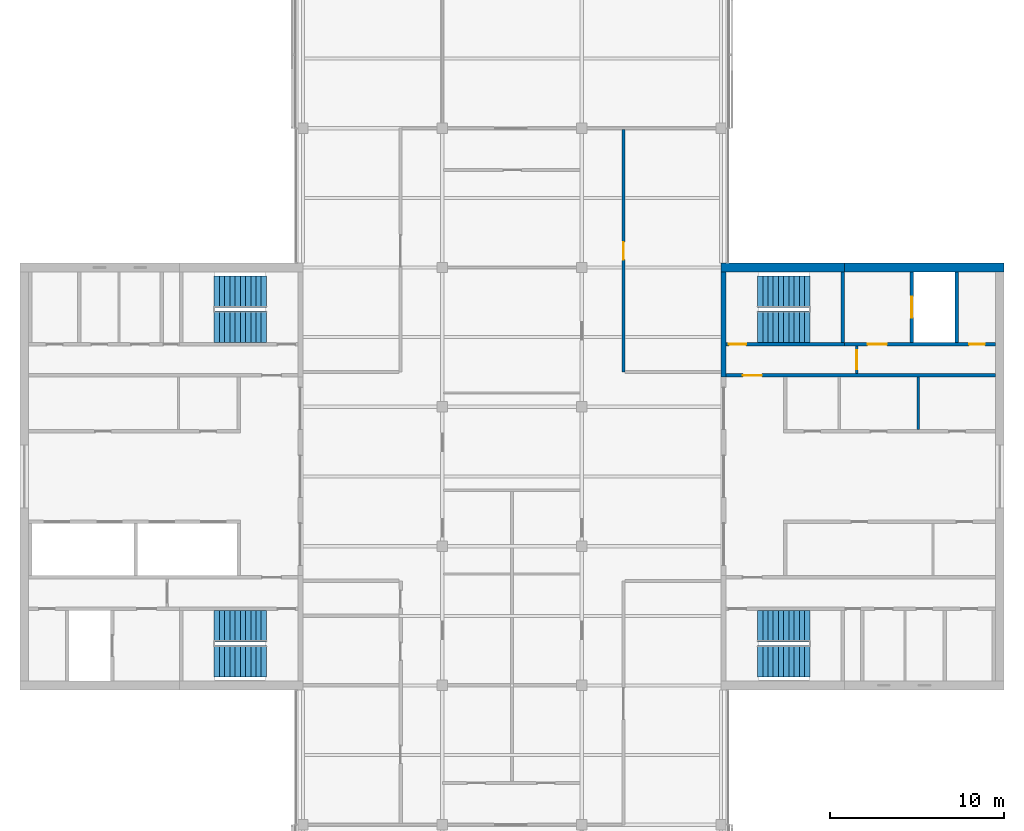
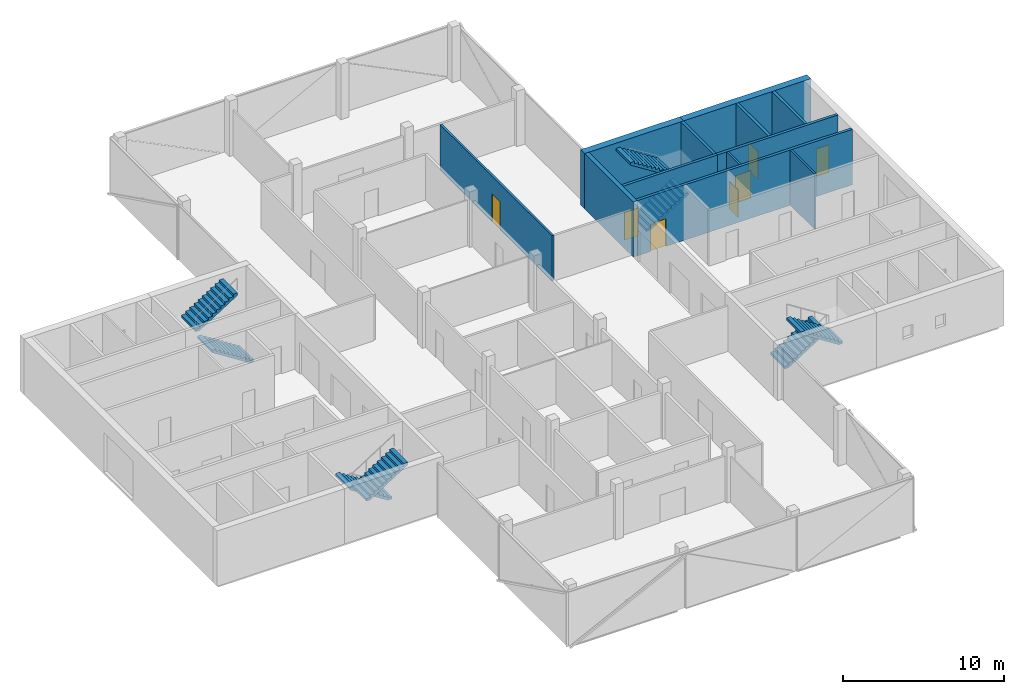
# One storey, part 12 of 15: 12 walls, 8 stair flights, 7 doors, 7 openings, 4 elements without a shape of their own.
"""IFC4 building model written with IfcOpenShell, lengths in metres."""

from ifc_helpers import new_model, si_unit, direction, frame, frame_2d, origin, place, context, subcontext, project, spatial, polyline, rectangle, outline, extrude, material, layer, layer_set, constituent, constituent_set, type_object, element, fill, aggregate, save


model = new_model("IFC4")

# Units and contexts
model_context = context("Model", 3, precision=1e-05, world=origin(), true_north=direction((0.0, 1.0)))
body_context = subcontext(model_context, "Body", "Model", "MODEL_VIEW")
ifc_project = project(units=[si_unit("LENGTHUNIT", "METRE"), si_unit("AREAUNIT", "SQUARE_METRE"), si_unit("VOLUMEUNIT", "CUBIC_METRE"), si_unit("PLANEANGLEUNIT", "RADIAN"), si_unit("MASSUNIT", "GRAM", prefix="KILO")], contexts=[model_context])

# Site, building, storey
site_placement = place(None, origin())
site = spatial("IfcSite", under=ifc_project, at=site_placement, CompositionType="ELEMENT")
building_placement = place(site_placement, origin())
building = spatial("IfcBuilding", under=site, at=building_placement, Name="Crosswind Convention Tower", CompositionType="ELEMENT")
storey_placement = place(building_placement, frame((0.0, 0.0, 319.699951171875)))
storey = spatial("IfcBuildingStorey", under=building, at=storey_placement, Name="L69", CompositionType="ELEMENT", Elevation=319.699951171875)

# Wall
ifc_material_1 = material(Name="Concrete C50/60", Category="concrete")
ifc_layer_1 = layer(ifc_material_1, 0.300048828125)
ifc_layer_set_1 = layer_set([ifc_layer_1], Name="Concrete C50/60")
wall_type_1 = type_object("IfcWallType", Name="Concrete inner core wall 300", PredefinedType="SHEAR", material=ifc_layer_set_1)
wall_1_placement = place(storey_placement, frame((137.14990234375, 105.699951171875, 0.0), z_axis=(0.0, 0.0, 1.0), x_axis=(0.0, 1.0, 0.0)))
element("IfcWall", 1, at=wall_1_placement, inside=storey, type_object=wall_type_1, Name="Wall EP E L69", PredefinedType="SHEAR", context=body_context, shape_type="SweptSolid", body=[
    extrude(rectangle(XDim=6.050048828125, YDim=0.300048828125, at=frame_2d((3.02490234375, 0.0))), origin(), (0.0, 0.0, 1.0), 4.199951171875),
])

# Wall, opening, door
ifc_layer_2 = layer(ifc_material_1, 0.199951171875)
ifc_layer_set_2 = layer_set([ifc_layer_2], Name="Concrete C50/60")
wall_type_2 = type_object("IfcWallType", Name="Concrete shaft and stair wall 200", PredefinedType="SHEAR", material=ifc_layer_set_2)
wall_2_placement = place(storey_placement, frame((137.300048828125, 105.800048828125, 0.0), z_axis=(0.0, 0.0, 1.0), x_axis=(1.0, 0.0, 0.0)))
wall_2 = element("IfcWall", 2, at=wall_2_placement, inside=storey, type_object=wall_type_2, Name="Wall HP E L69", PredefinedType="SHEAR", context=body_context, shape_type="SweptSolid", body=[
    extrude(rectangle(XDim=15.449951171875, YDim=0.199951171875, at=frame_2d((7.72509765625, 0.0))), origin(), (0.0, 0.0, 1.0), 4.199951171875),
])
opening_1_placement = place(wall_2_placement, frame((0.949951171875, 0.0, 0.0)))
opening_1 = element("IfcOpeningElement", 3, at=opening_1_placement, cuts=wall_2, Name="Opening D104", PredefinedType="OPENING", context=body_context, shape_type="SweptSolid", body=[
    extrude(rectangle(XDim=1.10009765625, YDim=2.10009765625, at=frame_2d((0.550048828125, 1.050048828125))), frame((0.0, 0.10986328125, 0.0), z_axis=(0.0, -1.0, 0.0), x_axis=(1.0, 0.0, 0.0)), (0.0, 0.0, 1.0), 0.219970703125),
])
ifc_material_2 = material(Name="Steel fire door", Category="steel")
door_type_1 = type_object("IfcDoorType", Name="Fire-rated single door 1100x2100", OperationType="NOTDEFINED", PredefinedType="DOOR", material=ifc_material_2)
door_1_placement = place(opening_1_placement, origin())
door_1 = element("IfcDoor", 4, at=door_1_placement, inside=storey, type_object=door_type_1, Name="Corridor door L69", ObjectType="D104", OperationType="SINGLE_SWING_LEFT", OverallHeight=2.10009765625, OverallWidth=1.10009765625, PredefinedType="DOOR", context=body_context, shape_type="SweptSolid", body=[
    extrude(rectangle(XDim=1.10009765625, YDim=2.10009765625, at=frame_2d((0.550048828125, 1.050048828125))), frame((0.0, 0.02490234375, 0.0), z_axis=(0.0, -1.0, 0.0), x_axis=(1.0, 0.0, 0.0)), (0.0, 0.0, 1.0), 0.050048828125),
])
fill(opening_1, door_1)

# Wall
wall_3_placement = place(storey_placement, frame((144.0, 107.699951171875, 0.0), z_axis=(0.0, 0.0, 1.0), x_axis=(0.0, 1.0, 0.0)))
element("IfcWall", 5, at=wall_3_placement, inside=storey, type_object=wall_type_2, Name="Wall PSE E L69", PredefinedType="SHEAR", context=body_context, shape_type="SweptSolid", body=[
    extrude(rectangle(XDim=4.050048828125, YDim=0.199951171875, at=frame_2d((2.02490234375, 0.0))), origin(), (0.0, 0.0, 1.0), 4.199951171875),
])

# Wall, opening, door
wall_4_placement = place(storey_placement, frame((147.949951171875, 107.699951171875, 0.0), z_axis=(0.0, 0.0, 1.0), x_axis=(0.0, 1.0, 0.0)))
wall_4 = element("IfcWall", 6, at=wall_4_placement, inside=storey, type_object=wall_type_2, Name="Wall PFLW E L69", PredefinedType="SHEAR", context=body_context, shape_type="SweptSolid", body=[
    extrude(rectangle(XDim=4.050048828125, YDim=0.199951171875, at=frame_2d((2.02490234375, 0.0))), origin(), (0.0, 0.0, 1.0), 4.199951171875),
])
opening_2_placement = place(wall_4_placement, frame((1.425048828125, 0.0, 0.0)))
opening_2 = element("IfcOpeningElement", 7, at=opening_2_placement, cuts=wall_4, Name="Opening LD1", PredefinedType="OPENING", context=body_context, shape_type="SweptSolid", body=[
    extrude(rectangle(XDim=1.199951171875, YDim=2.10009765625, at=frame_2d((0.60009765625, 1.050048828125))), frame((0.0, 0.10986328125, 0.0), z_axis=(0.0, -1.0, 0.0), x_axis=(1.0, 0.0, 0.0)), (0.0, 0.0, 1.0), 0.219970703125),
])
ifc_material_3 = material(Name="Stainless steel", Category="steel")
door_type_2 = type_object("IfcDoorType", Name="Lift landing door 1200x2100", OperationType="DOUBLE_DOOR_SLIDING", PredefinedType="DOOR", material=ifc_material_3)
door_2_placement = place(opening_2_placement, origin())
door_2 = element("IfcDoor", 8, at=door_2_placement, inside=storey, type_object=door_type_2, Name="Landing door FF1 L69", ObjectType="LD1", OperationType="DOUBLE_DOOR_SLIDING", OverallHeight=2.10009765625, OverallWidth=1.199951171875, PredefinedType="DOOR", context=body_context, shape_type="SweptSolid", body=[
    extrude(rectangle(XDim=1.199951171875, YDim=2.10009765625, at=frame_2d((0.60009765625, 1.050048828125))), frame((0.0, 0.02490234375, 0.0), z_axis=(0.0, -1.0, 0.0), x_axis=(1.0, 0.0, 0.0)), (0.0, 0.0, 1.0), 0.050048828125),
])
fill(opening_2, door_2)

# Wall
wall_5_placement = place(storey_placement, frame((150.550048828125, 107.699951171875, 0.0), z_axis=(0.0, 0.0, 1.0), x_axis=(0.0, 1.0, 0.0)))
element("IfcWall", 9, at=wall_5_placement, inside=storey, type_object=wall_type_2, Name="Wall PFSE E L69", PredefinedType="SHEAR", context=body_context, shape_type="SweptSolid", body=[
    extrude(rectangle(XDim=4.050048828125, YDim=0.199951171875, at=frame_2d((2.02490234375, 0.0))), origin(), (0.0, 0.0, 1.0), 4.199951171875),
])

# Wall, opening, door
wall_6_placement = place(storey_placement, frame((137.300048828125, 107.60009765625, 0.0), z_axis=(0.0, 0.0, 1.0), x_axis=(1.0, 0.0, 0.0)))
wall_6 = element("IfcWall", 10, at=wall_6_placement, inside=storey, type_object=wall_type_2, Name="Wall PCW E L69", PredefinedType="SHEAR", context=body_context, shape_type="SweptSolid", body=[
    extrude(rectangle(XDim=6.800048828125, YDim=0.199951171875, at=frame_2d((3.39990234375, 0.0))), origin(), (0.0, 0.0, 1.0), 4.199951171875),
])
opening_3_placement = place(wall_6_placement, frame((0.14990234375, 0.0, 0.0)))
opening_3 = element("IfcOpeningElement", 11, at=opening_3_placement, cuts=wall_6, Name="Opening D103", PredefinedType="OPENING", context=body_context, shape_type="SweptSolid", body=[
    extrude(rectangle(XDim=1.0, YDim=2.10009765625, at=frame_2d((0.5, 1.050048828125))), frame((0.0, 0.10986328125, 0.0), z_axis=(0.0, -1.0, 0.0), x_axis=(1.0, 0.0, 0.0)), (0.0, 0.0, 1.0), 0.219970703125),
])
door_type_3 = type_object("IfcDoorType", Name="Fire-rated single door 1000x2100", OperationType="NOTDEFINED", PredefinedType="DOOR", material=ifc_material_2)
door_3_placement = place(opening_3_placement, origin())
door_3 = element("IfcDoor", 12, at=door_3_placement, inside=storey, type_object=door_type_3, Name="Stair ST1 door L69", ObjectType="D103", OperationType="SINGLE_SWING_LEFT", OverallHeight=2.10009765625, OverallWidth=1.0, PredefinedType="DOOR", context=body_context, shape_type="SweptSolid", body=[
    extrude(rectangle(XDim=1.0, YDim=2.10009765625, at=frame_2d((0.5, 1.050048828125))), frame((0.0, 0.02490234375, 0.0), z_axis=(0.0, -1.0, 0.0), x_axis=(1.0, 0.0, 0.0)), (0.0, 0.0, 1.0), 0.050048828125),
])
fill(opening_3, door_3)

# Wall, openings, doors
wall_7_placement = place(storey_placement, frame((144.10009765625, 107.60009765625, 0.0), z_axis=(0.0, 0.0, 1.0), x_axis=(1.0, 0.0, 0.0)))
wall_7 = element("IfcWall", 13, at=wall_7_placement, inside=storey, type_object=wall_type_2, Name="Wall PCX E L69", PredefinedType="SHEAR", context=body_context, shape_type="SweptSolid", body=[
    extrude(rectangle(XDim=8.64990234375, YDim=0.199951171875, at=frame_2d((4.324951171875, 0.0))), origin(), (0.0, 0.0, 1.0), 4.199951171875),
])
opening_4_placement = place(wall_7_placement, frame((1.324951171875, 0.0, 0.0)))
opening_4 = element("IfcOpeningElement", 14, at=opening_4_placement, cuts=wall_7, Name="Opening D104", PredefinedType="OPENING", context=body_context, shape_type="SweptSolid", body=[
    extrude(rectangle(XDim=1.10009765625, YDim=2.10009765625, at=frame_2d((0.550048828125, 1.050048828125))), frame((0.0, 0.10986328125, 0.0), z_axis=(0.0, -1.0, 0.0), x_axis=(1.0, 0.0, 0.0)), (0.0, 0.0, 1.0), 0.219970703125),
])
opening_5_placement = place(wall_7_placement, frame((7.14990234375, 0.0, 0.0)))
opening_5 = element("IfcOpeningElement", 15, at=opening_5_placement, cuts=wall_7, Name="Opening D106", PredefinedType="OPENING", context=body_context, shape_type="SweptSolid", body=[
    extrude(rectangle(XDim=0.89990234375, YDim=2.10009765625, at=frame_2d((0.449951171875, 1.050048828125))), frame((0.0, 0.10986328125, 0.0), z_axis=(0.0, -1.0, 0.0), x_axis=(1.0, 0.0, 0.0)), (0.0, 0.0, 1.0), 0.219970703125),
])
door_4_placement = place(opening_4_placement, origin())
door_4 = element("IfcDoor", 16, at=door_4_placement, inside=storey, type_object=door_type_1, Name="Fire-fighting lobby FF1 door L69", ObjectType="D104", OperationType="SINGLE_SWING_RIGHT", OverallHeight=2.10009765625, OverallWidth=1.10009765625, PredefinedType="DOOR", context=body_context, shape_type="SweptSolid", body=[
    extrude(rectangle(XDim=1.10009765625, YDim=2.10009765625, at=frame_2d((0.550048828125, 1.050048828125))), frame((0.0, 0.02490234375, 0.0), z_axis=(0.0, -1.0, 0.0), x_axis=(1.0, 0.0, 0.0)), (0.0, 0.0, 1.0), 0.050048828125),
])
fill(opening_4, door_4)
ifc_material_4 = material(Name="Timber door", Category="wood")
door_type_4 = type_object("IfcDoorType", Name="Single leaf door 900x2100", OperationType="NOTDEFINED", PredefinedType="DOOR", material=ifc_material_4)
door_5_placement = place(opening_5_placement, origin())
door_5 = element("IfcDoor", 17, at=door_5_placement, inside=storey, type_object=door_type_4, Name="Door to electrical room L69", ObjectType="D106", OperationType="SINGLE_SWING_RIGHT", OverallHeight=2.10009765625, OverallWidth=0.89990234375, PredefinedType="DOOR", context=body_context, shape_type="SweptSolid", body=[
    extrude(rectangle(XDim=0.89990234375, YDim=2.10009765625, at=frame_2d((0.449951171875, 1.050048828125))), frame((0.0, 0.02490234375, 0.0), z_axis=(0.0, -1.0, 0.0), x_axis=(1.0, 0.0, 0.0)), (0.0, 0.0, 1.0), 0.050048828125),
])
fill(opening_5, door_5)

# Wall
ifc_material_5 = material(Name="Gypsum plasterboard partition", Category="gypsum")
ifc_layer_3 = layer(ifc_material_5, 0.125)
ifc_layer_set_3 = layer_set([ifc_layer_3], Name="Drywall partition wall 125")
wall_type_3 = type_object("IfcWallType", Name="Drywall partition wall 125", PredefinedType="PARTITIONING", material=ifc_layer_set_3)
wall_8_placement = place(storey_placement, frame((148.32861328125, 102.699951171875, 0.0), z_axis=(0.0, 0.0, 1.0), x_axis=(0.0, 1.0, 0.0)))
element("IfcWall", 18, at=wall_8_placement, inside=storey, type_object=wall_type_3, Name="Wall RPP2 E L69", PredefinedType="PARTITIONING", context=body_context, shape_type="SweptSolid", body=[
    extrude(rectangle(XDim=3.0, YDim=0.125, at=frame_2d((1.5, 0.0))), origin(), (0.0, 0.0, 1.0), 4.199951171875),
])

# Wall, opening, door
wall_9_placement = place(storey_placement, frame((144.800048828125, 105.89990234375, 0.0), z_axis=(0.0, 0.0, 1.0), x_axis=(0.0, 1.0, 0.0)))
wall_9 = element("IfcWall", 19, at=wall_9_placement, inside=storey, type_object=wall_type_3, Name="Wall PXC1 E L69", PredefinedType="PARTITIONING", context=body_context, shape_type="SweptSolid", body=[
    extrude(rectangle(XDim=1.60009765625, YDim=0.125, at=frame_2d((0.800048828125, 0.0))), origin(), (0.0, 0.0, 1.0), 4.199951171875),
])
opening_6_placement = place(wall_9_placement, frame((0.25, 0.0, 0.0)))
opening_6 = element("IfcOpeningElement", 20, at=opening_6_placement, cuts=wall_9, Name="Opening D104", PredefinedType="OPENING", context=body_context, shape_type="SweptSolid", body=[
    extrude(rectangle(XDim=1.10009765625, YDim=2.10009765625, at=frame_2d((0.550048828125, 1.050048828125))), frame((0.0, 0.072509765625, 0.0), z_axis=(0.0, -1.0, 0.0), x_axis=(1.0, 0.0, 0.0)), (0.0, 0.0, 1.0), 0.14501953125),
])
door_6_placement = place(opening_6_placement, origin())
door_6 = element("IfcDoor", 21, at=door_6_placement, inside=storey, type_object=door_type_1, Name="Corridor smoke door L69", ObjectType="D104", OperationType="SINGLE_SWING_RIGHT", OverallHeight=2.10009765625, OverallWidth=1.10009765625, PredefinedType="DOOR", context=body_context, shape_type="SweptSolid", body=[
    extrude(rectangle(XDim=1.10009765625, YDim=2.10009765625, at=frame_2d((0.550048828125, 1.050048828125))), frame((0.0, 0.02490234375, 0.0), z_axis=(0.0, -1.0, 0.0), x_axis=(1.0, 0.0, 0.0)), (0.0, 0.0, 1.0), 0.050048828125),
])
fill(opening_6, door_6)

ifc_material_6 = material(Name="Fire-board partition with mineral wool", Category="gypsum")
ifc_layer_4 = layer(ifc_material_6, 0.14990234375)
ifc_layer_set_4 = layer_set([ifc_layer_4], Name="TENANCY WALL 150 TWO-HOUR BOARD")
wall_type_4 = type_object("IfcWallType", Name="TENANCY WALL 150 TWO-HOUR BOARD", PredefinedType="PARTITIONING", material=ifc_layer_set_4)
wall_10_placement = place(storey_placement, frame((131.39990234375, 106.0, 0.0), z_axis=(0.0, 0.0, 1.0), x_axis=(0.0, 1.0, 0.0)))
wall_10 = element("IfcWall", 22, at=wall_10_placement, inside=storey, type_object=wall_type_4, Name="Tenancy wall WT41", PredefinedType="PARTITIONING", context=body_context, shape_type="SweptSolid", body=[
    extrude(rectangle(XDim=13.925048828125, YDim=0.14990234375, at=frame_2d((6.96240234375, 0.0))), origin(), (0.0, 0.0, 1.0), 3.44287109375),
])
opening_7_placement = place(wall_10_placement, frame((6.449951171875, 0.0, 0.0)))
opening_7 = element("IfcOpeningElement", 23, at=opening_7_placement, cuts=wall_10, Name="Opening L69-50", PredefinedType="OPENING", context=body_context, shape_type="SweptSolid", body=[
    extrude(rectangle(XDim=1.0, YDim=2.10009765625, at=frame_2d((0.5, 1.050048828125))), frame((0.0, 0.0849609375, 0.0), z_axis=(0.0, -1.0, 0.0), x_axis=(1.0, 0.0, 0.0)), (0.0, 0.0, 1.0), 0.169921875),
])
ifc_material_7 = material(Name="Timber fire door", Category="wood")
door_type_5 = type_object("IfcDoorType", Name="TENANCY ENTRANCE DOOR 1000X2100 FD30S", OperationType="NOTDEFINED", PredefinedType="DOOR", material=ifc_material_7)
door_7_placement = place(opening_7_placement, frame((1.0, 0.0, 0.0), z_axis=(0.0, 0.0, 1.0), x_axis=(-1.0, 0.0, 0.0)))
door_7 = element("IfcDoor", 24, at=door_7_placement, inside=storey, type_object=door_type_5, Name="Door L69-50", ObjectType="D41", OperationType="SINGLE_SWING_LEFT", OverallHeight=2.10009765625, OverallWidth=1.0, PredefinedType="DOOR", context=body_context, shape_type="SweptSolid", body=[
    extrude(rectangle(XDim=1.0, YDim=2.10009765625, at=frame_2d((0.5, 1.050048828125))), frame((0.0, 0.02490234375, 0.0), z_axis=(0.0, -1.0, 0.0), x_axis=(1.0, 0.0, 0.0)), (0.0, 0.0, 1.0), 0.050048828125),
])
fill(opening_7, door_7)

# Walls
ifc_material_8 = material(Name="Concrete C60/75", Category="concrete")
ifc_constituent_1 = constituent(ifc_material_8, Name="Structure")
ifc_material_9 = material(Name="Terracotta rainscreen", Category="ceramic")
ifc_constituent_2 = constituent(ifc_material_9, Name="Facing")
ifc_constituent_set = constituent_set(constituents=[ifc_constituent_1, ifc_constituent_2], Name="Concrete C60/75, Terracotta rainscreen")
wall_type_5 = type_object("IfcWallType", Name="Terracotta rainscreen on concrete core wall 500", PredefinedType="SHEAR", material=ifc_constituent_set)
wall_11_placement = place(storey_placement, frame((137.0, 112.0, 0.0), z_axis=(0.0, 0.0, 1.0), x_axis=(1.0, 0.0, 0.0)))
element("IfcWall", 25, at=wall_11_placement, inside=storey, type_object=wall_type_5, Name="Wall N1 E L69", PredefinedType="SHEAR", context=body_context, shape_type="SweptSolid", body=[
    extrude(rectangle(XDim=7.10009765625, YDim=0.5, at=frame_2d((3.550048828125, 0.0))), origin(), (0.0, 0.0, 1.0), 4.199951171875),
])
wall_12_placement = place(storey_placement, frame((144.10009765625, 112.0, 0.0), z_axis=(0.0, 0.0, 1.0), x_axis=(1.0, 0.0, 0.0)))
element("IfcWall", 26, at=wall_12_placement, inside=storey, type_object=wall_type_5, Name="Wall N2 E L69", PredefinedType="SHEAR", context=body_context, shape_type="SweptSolid", body=[
    extrude(rectangle(XDim=9.14990234375, YDim=0.5, at=frame_2d((4.574951171875, 0.0))), origin(), (0.0, 0.0, 1.0), 4.199951171875),
])

# Stair, stair flights
ifc_material_10 = material(Name="Concrete C40/50", Category="concrete")
stair_type = type_object("IfcStairType", Name="Exit stair 1800 wide, 2 flights of 11 risers", PredefinedType="HALF_TURN_STAIR", material=ifc_material_10)
stair_1_placement = place(storey_placement, origin())
stair_1 = element("IfcStair", 27, at=stair_1_placement, inside=storey, type_object=stair_type, Name="Exit stair ST1 L69", ObjectType="ST5", PredefinedType="HALF_TURN_STAIR")
stair_flight_type = type_object("IfcStairFlightType", Name="Stair flight 1800 wide, 11 risers (SF4)", PredefinedType="STRAIGHT", material=ifc_material_10)
stair_flight_1_placement = place(storey_placement, frame((139.10009765625, 108.60009765625, 0.0), z_axis=(0.0, 0.0, 1.0), x_axis=(1.0, 0.0, 0.0)))
stair_flight_1 = element("IfcStairFlight", 28, at=stair_flight_1_placement, type_object=stair_flight_type, Name="ST1 flight 1", NumberOfRisers=11, NumberOfTreads=10, PredefinedType="STRAIGHT", RiserHeight=0.190909091, TreadLength=0.3, context=body_context, shape_type="SweptSolid", body=[
    extrude(outline(polyline([(0.0, 0.0), (0.0, 0.19091796875), (0.300048828125, 0.19091796875), (0.300048828125, 0.3818359375), (0.60009765625, 0.3818359375), (0.60009765625, 0.57275390625), (0.89990234375, 0.57275390625), (0.89990234375, 0.763671875), (1.199951171875, 0.763671875), (1.199951171875, 0.95458984375), (1.5, 0.95458984375), (1.5, 1.1455078125), (1.800048828125, 1.1455078125), (1.800048828125, 1.33642578125), (2.10009765625, 1.33642578125), (2.10009765625, 1.52734375), (2.39990234375, 1.52734375), (2.39990234375, 1.71826171875), (2.699951171875, 1.71826171875), (2.699951171875, 1.9091796875), (3.0, 1.9091796875), (3.0, 2.10009765625), (3.0, 1.7314453125), (0.279296875, 0.0), (0.0, 0.0)])), frame((0.0, 0.89990234375, 0.0), z_axis=(0.0, -1.0, 0.0), x_axis=(1.0, 0.0, 0.0)), (0.0, 0.0, 1.0), 1.800048828125),
])
stair_flight_2_placement = place(storey_placement, frame((142.10009765625, 110.60009765625, 2.10009765625), z_axis=(0.0, 0.0, 1.0), x_axis=(-1.0, 0.0, 0.0)))
stair_flight_2 = element("IfcStairFlight", 29, at=stair_flight_2_placement, type_object=stair_flight_type, Name="ST1 flight 2", NumberOfRisers=11, NumberOfTreads=10, PredefinedType="STRAIGHT", RiserHeight=0.190909091, TreadLength=0.3, context=body_context, shape_type="SweptSolid", body=[
    extrude(outline(polyline([(0.0, 0.0), (0.0, 0.19091796875), (0.300048828125, 0.19091796875), (0.300048828125, 0.3818359375), (0.60009765625, 0.3818359375), (0.60009765625, 0.57275390625), (0.89990234375, 0.57275390625), (0.89990234375, 0.763671875), (1.199951171875, 0.763671875), (1.199951171875, 0.95458984375), (1.5, 0.95458984375), (1.5, 1.1455078125), (1.800048828125, 1.1455078125), (1.800048828125, 1.33642578125), (2.10009765625, 1.33642578125), (2.10009765625, 1.52734375), (2.39990234375, 1.52734375), (2.39990234375, 1.71826171875), (2.699951171875, 1.71826171875), (2.699951171875, 1.9091796875), (3.0, 1.9091796875), (3.0, 2.10009765625), (3.0, 1.7314453125), (0.279296875, 0.0), (0.0, 0.0)])), frame((0.0, 0.89990234375, 0.0), z_axis=(0.0, -1.0, 0.0), x_axis=(1.0, 0.0, 0.0)), (0.0, 0.0, 1.0), 1.800048828125),
])
aggregate(stair_1, [stair_flight_1, stair_flight_2])

stair_2_placement = place(storey_placement, origin())
stair_2 = element("IfcStair", 30, at=stair_2_placement, inside=storey, type_object=stair_type, Name="Exit stair ST2 L69", ObjectType="ST5", PredefinedType="HALF_TURN_STAIR")
stair_flight_3_placement = place(storey_placement, frame((139.10009765625, 91.39990234375, 0.0), z_axis=(0.0, 0.0, 1.0), x_axis=(1.0, 0.0, 0.0)))
stair_flight_3 = element("IfcStairFlight", 31, at=stair_flight_3_placement, type_object=stair_flight_type, Name="ST2 flight 1", NumberOfRisers=11, NumberOfTreads=10, PredefinedType="STRAIGHT", RiserHeight=0.190909091, TreadLength=0.3, context=body_context, shape_type="SweptSolid", body=[
    extrude(outline(polyline([(0.0, 0.0), (0.0, 0.19091796875), (0.300048828125, 0.19091796875), (0.300048828125, 0.3818359375), (0.60009765625, 0.3818359375), (0.60009765625, 0.57275390625), (0.89990234375, 0.57275390625), (0.89990234375, 0.763671875), (1.199951171875, 0.763671875), (1.199951171875, 0.95458984375), (1.5, 0.95458984375), (1.5, 1.1455078125), (1.800048828125, 1.1455078125), (1.800048828125, 1.33642578125), (2.10009765625, 1.33642578125), (2.10009765625, 1.52734375), (2.39990234375, 1.52734375), (2.39990234375, 1.71826171875), (2.699951171875, 1.71826171875), (2.699951171875, 1.9091796875), (3.0, 1.9091796875), (3.0, 2.10009765625), (3.0, 1.7314453125), (0.279296875, 0.0), (0.0, 0.0)])), frame((0.0, 0.89990234375, 0.0), z_axis=(0.0, -1.0, 0.0), x_axis=(1.0, 0.0, 0.0)), (0.0, 0.0, 1.0), 1.800048828125),
])
stair_flight_4_placement = place(storey_placement, frame((142.10009765625, 89.39990234375, 2.10009765625), z_axis=(0.0, 0.0, 1.0), x_axis=(-1.0, 0.0, 0.0)))
stair_flight_4 = element("IfcStairFlight", 32, at=stair_flight_4_placement, type_object=stair_flight_type, Name="ST2 flight 2", NumberOfRisers=11, NumberOfTreads=10, PredefinedType="STRAIGHT", RiserHeight=0.190909091, TreadLength=0.3, context=body_context, shape_type="SweptSolid", body=[
    extrude(outline(polyline([(0.0, 0.0), (0.0, 0.19091796875), (0.300048828125, 0.19091796875), (0.300048828125, 0.3818359375), (0.60009765625, 0.3818359375), (0.60009765625, 0.57275390625), (0.89990234375, 0.57275390625), (0.89990234375, 0.763671875), (1.199951171875, 0.763671875), (1.199951171875, 0.95458984375), (1.5, 0.95458984375), (1.5, 1.1455078125), (1.800048828125, 1.1455078125), (1.800048828125, 1.33642578125), (2.10009765625, 1.33642578125), (2.10009765625, 1.52734375), (2.39990234375, 1.52734375), (2.39990234375, 1.71826171875), (2.699951171875, 1.71826171875), (2.699951171875, 1.9091796875), (3.0, 1.9091796875), (3.0, 2.10009765625), (3.0, 1.7314453125), (0.279296875, 0.0), (0.0, 0.0)])), frame((0.0, 0.89990234375, 0.0), z_axis=(0.0, -1.0, 0.0), x_axis=(1.0, 0.0, 0.0)), (0.0, 0.0, 1.0), 1.800048828125),
])
aggregate(stair_2, [stair_flight_3, stair_flight_4])

stair_3_placement = place(storey_placement, origin())
stair_3 = element("IfcStair", 33, at=stair_3_placement, inside=storey, type_object=stair_type, Name="Exit stair ST3 L69", ObjectType="ST5", PredefinedType="HALF_TURN_STAIR")
stair_flight_5_placement = place(storey_placement, frame((110.89990234375, 91.39990234375, 0.0), z_axis=(0.0, 0.0, 1.0), x_axis=(-1.0, 0.0, 0.0)))
stair_flight_5 = element("IfcStairFlight", 34, at=stair_flight_5_placement, type_object=stair_flight_type, Name="ST3 flight 1", NumberOfRisers=11, NumberOfTreads=10, PredefinedType="STRAIGHT", RiserHeight=0.190909091, TreadLength=0.3, context=body_context, shape_type="SweptSolid", body=[
    extrude(outline(polyline([(0.0, 0.0), (0.0, 0.19091796875), (0.300048828125, 0.19091796875), (0.300048828125, 0.3818359375), (0.60009765625, 0.3818359375), (0.60009765625, 0.57275390625), (0.89990234375, 0.57275390625), (0.89990234375, 0.763671875), (1.199951171875, 0.763671875), (1.199951171875, 0.95458984375), (1.5, 0.95458984375), (1.5, 1.1455078125), (1.800048828125, 1.1455078125), (1.800048828125, 1.33642578125), (2.10009765625, 1.33642578125), (2.10009765625, 1.52734375), (2.39990234375, 1.52734375), (2.39990234375, 1.71826171875), (2.699951171875, 1.71826171875), (2.699951171875, 1.9091796875), (3.0, 1.9091796875), (3.0, 2.10009765625), (3.0, 1.7314453125), (0.279296875, 0.0), (0.0, 0.0)])), frame((0.0, 0.89990234375, 0.0), z_axis=(0.0, -1.0, 0.0), x_axis=(1.0, 0.0, 0.0)), (0.0, 0.0, 1.0), 1.800048828125),
])
stair_flight_6_placement = place(storey_placement, frame((107.89990234375, 89.39990234375, 2.10009765625), z_axis=(0.0, 0.0, 1.0), x_axis=(1.0, 0.0, 0.0)))
stair_flight_6 = element("IfcStairFlight", 35, at=stair_flight_6_placement, type_object=stair_flight_type, Name="ST3 flight 2", NumberOfRisers=11, NumberOfTreads=10, PredefinedType="STRAIGHT", RiserHeight=0.190909091, TreadLength=0.3, context=body_context, shape_type="SweptSolid", body=[
    extrude(outline(polyline([(0.0, 0.0), (0.0, 0.19091796875), (0.300048828125, 0.19091796875), (0.300048828125, 0.3818359375), (0.60009765625, 0.3818359375), (0.60009765625, 0.57275390625), (0.89990234375, 0.57275390625), (0.89990234375, 0.763671875), (1.199951171875, 0.763671875), (1.199951171875, 0.95458984375), (1.5, 0.95458984375), (1.5, 1.1455078125), (1.800048828125, 1.1455078125), (1.800048828125, 1.33642578125), (2.10009765625, 1.33642578125), (2.10009765625, 1.52734375), (2.39990234375, 1.52734375), (2.39990234375, 1.71826171875), (2.699951171875, 1.71826171875), (2.699951171875, 1.9091796875), (3.0, 1.9091796875), (3.0, 2.10009765625), (3.0, 1.7314453125), (0.279296875, 0.0), (0.0, 0.0)])), frame((0.0, 0.89990234375, 0.0), z_axis=(0.0, -1.0, 0.0), x_axis=(1.0, 0.0, 0.0)), (0.0, 0.0, 1.0), 1.800048828125),
])
aggregate(stair_3, [stair_flight_5, stair_flight_6])

stair_4_placement = place(storey_placement, origin())
stair_4 = element("IfcStair", 36, at=stair_4_placement, inside=storey, type_object=stair_type, Name="Exit stair ST4 L69", ObjectType="ST5", PredefinedType="HALF_TURN_STAIR")
stair_flight_7_placement = place(storey_placement, frame((110.89990234375, 108.60009765625, 0.0), z_axis=(0.0, 0.0, 1.0), x_axis=(-1.0, 0.0, 0.0)))
stair_flight_7 = element("IfcStairFlight", 37, at=stair_flight_7_placement, type_object=stair_flight_type, Name="ST4 flight 1", NumberOfRisers=11, NumberOfTreads=10, PredefinedType="STRAIGHT", RiserHeight=0.190909091, TreadLength=0.3, context=body_context, shape_type="SweptSolid", body=[
    extrude(outline(polyline([(0.0, 0.0), (0.0, 0.19091796875), (0.300048828125, 0.19091796875), (0.300048828125, 0.3818359375), (0.60009765625, 0.3818359375), (0.60009765625, 0.57275390625), (0.89990234375, 0.57275390625), (0.89990234375, 0.763671875), (1.199951171875, 0.763671875), (1.199951171875, 0.95458984375), (1.5, 0.95458984375), (1.5, 1.1455078125), (1.800048828125, 1.1455078125), (1.800048828125, 1.33642578125), (2.10009765625, 1.33642578125), (2.10009765625, 1.52734375), (2.39990234375, 1.52734375), (2.39990234375, 1.71826171875), (2.699951171875, 1.71826171875), (2.699951171875, 1.9091796875), (3.0, 1.9091796875), (3.0, 2.10009765625), (3.0, 1.7314453125), (0.279296875, 0.0), (0.0, 0.0)])), frame((0.0, 0.89990234375, 0.0), z_axis=(0.0, -1.0, 0.0), x_axis=(1.0, 0.0, 0.0)), (0.0, 0.0, 1.0), 1.800048828125),
])
stair_flight_8_placement = place(storey_placement, frame((107.89990234375, 110.60009765625, 2.10009765625), z_axis=(0.0, 0.0, 1.0), x_axis=(1.0, 0.0, 0.0)))
stair_flight_8 = element("IfcStairFlight", 38, at=stair_flight_8_placement, type_object=stair_flight_type, Name="ST4 flight 2", NumberOfRisers=11, NumberOfTreads=10, PredefinedType="STRAIGHT", RiserHeight=0.190909091, TreadLength=0.3, context=body_context, shape_type="SweptSolid", body=[
    extrude(outline(polyline([(0.0, 0.0), (0.0, 0.19091796875), (0.300048828125, 0.19091796875), (0.300048828125, 0.3818359375), (0.60009765625, 0.3818359375), (0.60009765625, 0.57275390625), (0.89990234375, 0.57275390625), (0.89990234375, 0.763671875), (1.199951171875, 0.763671875), (1.199951171875, 0.95458984375), (1.5, 0.95458984375), (1.5, 1.1455078125), (1.800048828125, 1.1455078125), (1.800048828125, 1.33642578125), (2.10009765625, 1.33642578125), (2.10009765625, 1.52734375), (2.39990234375, 1.52734375), (2.39990234375, 1.71826171875), (2.699951171875, 1.71826171875), (2.699951171875, 1.9091796875), (3.0, 1.9091796875), (3.0, 2.10009765625), (3.0, 1.7314453125), (0.279296875, 0.0), (0.0, 0.0)])), frame((0.0, 0.89990234375, 0.0), z_axis=(0.0, -1.0, 0.0), x_axis=(1.0, 0.0, 0.0)), (0.0, 0.0, 1.0), 1.800048828125),
])
aggregate(stair_4, [stair_flight_7, stair_flight_8])

save(model, "model.ifc")
